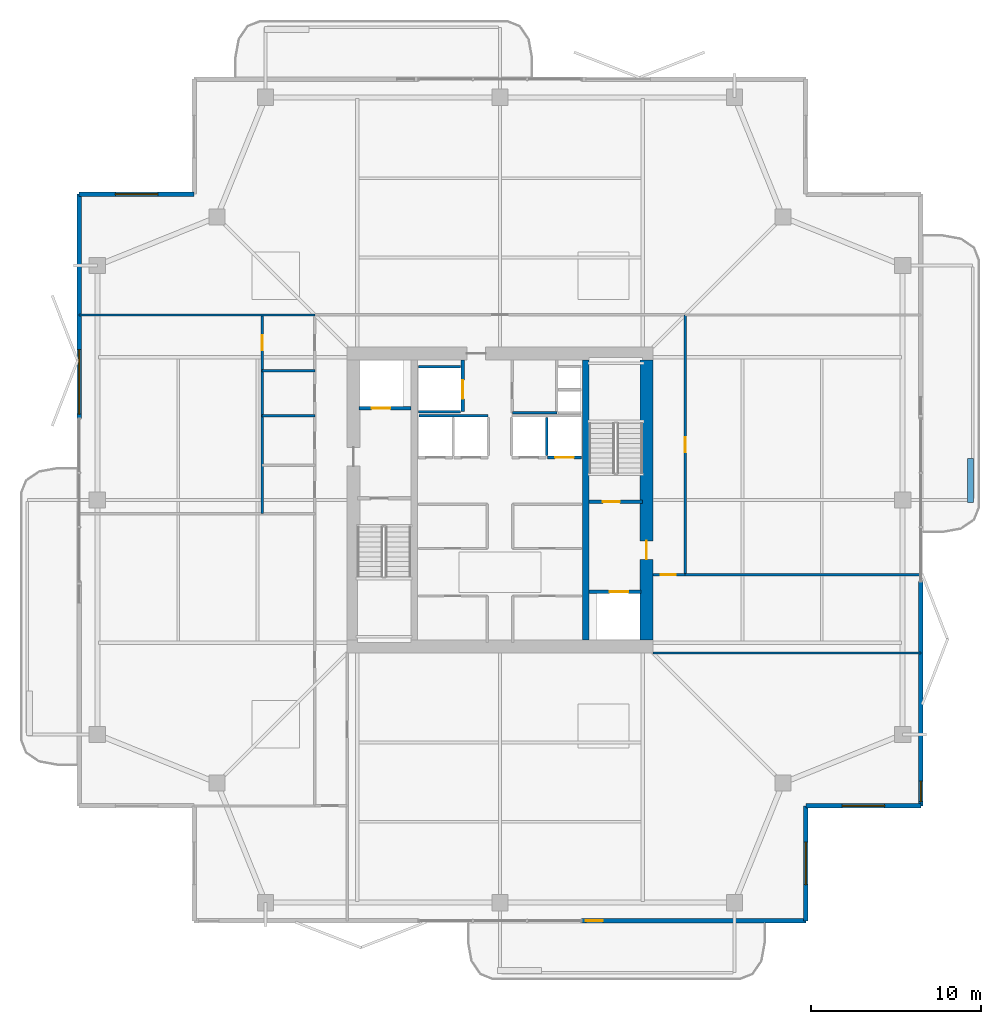
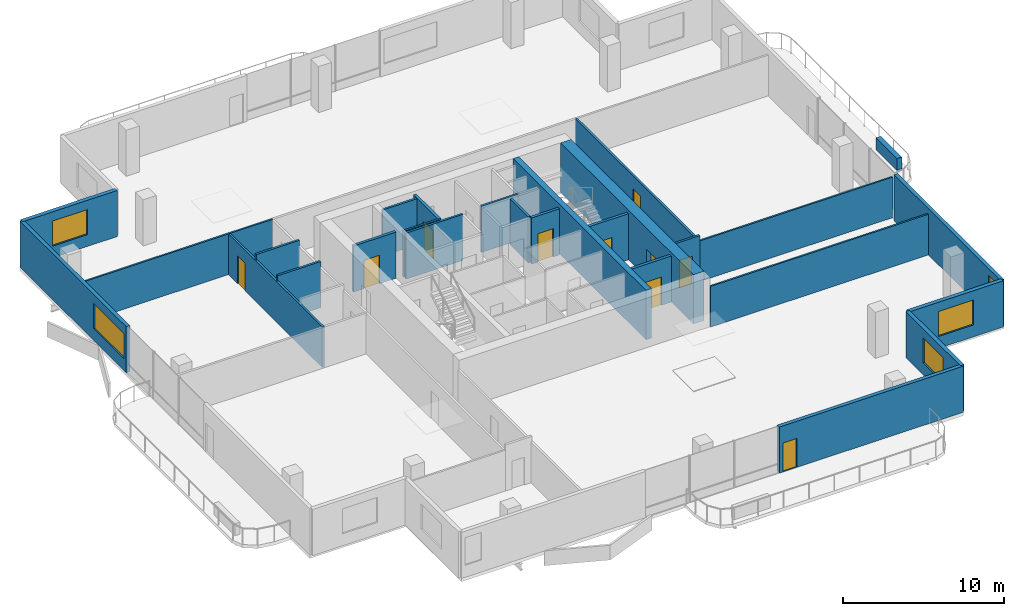
# One storey, part 19 of 24: 27 walls, 10 doors, 5 windows, 15 openings.
"""IFC4 building model written with IfcOpenShell, lengths in metres."""

from ifc_helpers import new_model, si_unit, direction, frame, frame_2d, origin, place, context, subcontext, project, spatial, rectangle, extrude, material, layer, layer_set, type_object, element, fill, save


model = new_model("IFC4")

# Units and contexts
model_context = context("Model", 3, precision=1e-05, world=origin(), true_north=direction((0.0, 1.0)))
body_context = subcontext(model_context, "Body", "Model", "MODEL_VIEW")
ifc_project = project(units=[si_unit("LENGTHUNIT", "METRE"), si_unit("AREAUNIT", "SQUARE_METRE"), si_unit("VOLUMEUNIT", "CUBIC_METRE"), si_unit("PLANEANGLEUNIT", "RADIAN"), si_unit("MASSUNIT", "GRAM", prefix="KILO")], contexts=[model_context])

# Site, building, storey
site_placement = place(None, origin())
site = spatial("IfcSite", under=ifc_project, at=site_placement, CompositionType="ELEMENT")
building_placement = place(site_placement, origin())
building = spatial("IfcBuilding", under=site, at=building_placement, Name="Belovzor Exchange Tower", CompositionType="ELEMENT")
storey_placement = place(building_placement, frame((0.0, 0.0, 261.60009765625)))
storey = spatial("IfcBuildingStorey", under=building, at=storey_placement, Name="L65", CompositionType="ELEMENT", Elevation=261.60009765625)

# Walls
ifc_material_1 = material(Name="Acoustic Plasterboard on Galvanised Studs", Category="gypsum")
ifc_layer_1 = layer(ifc_material_1, 0.1201171875)
ifc_layer_set_1 = layer_set([ifc_layer_1], Name="Acoustic Plasterboard on Galvanised Studs")
wall_type_1 = type_object("IfcWallType", Name="Acoustic Double-Stud Partition Wall 120", PredefinedType="PARTITIONING", material=ifc_layer_set_1)
wall_1_placement = place(storey_placement, frame((37.800048828125, 19.800048828125, 0.0), z_axis=(0.0, 0.0, 1.0), x_axis=(1.0, 0.0, 0.0)))
element("IfcWall", 1, at=wall_1_placement, inside=storey, type_object=wall_type_1, Name="W-P120 Partition Wall W-L65-ESS", PredefinedType="PARTITIONING", context=body_context, shape_type="SweptSolid", body=[
    extrude(rectangle(XDim=15.77001953125, YDim=0.1201171875, at=frame_2d((7.885009765625, 0.0))), origin(), (0.0, 0.0, 1.0), 3.0849609375),
])
wall_2_placement = place(storey_placement, frame((39.699951171875, 24.39990234375, 0.0), z_axis=(0.0, 0.0, 1.0), x_axis=(1.0, 0.0, 0.0)))
element("IfcWall", 2, at=wall_2_placement, inside=storey, type_object=wall_type_1, Name="W-P120 Partition Wall W-L65-ESN", PredefinedType="PARTITIONING", context=body_context, shape_type="SweptSolid", body=[
    extrude(rectangle(XDim=13.8701171875, YDim=0.1201171875, at=frame_2d((6.93505859375, 0.0))), origin(), (0.0, 0.0, 1.0), 3.0849609375),
])
wall_3_placement = place(storey_placement, frame((4.030029296875, 39.699951171875, 0.0), z_axis=(0.0, 0.0, 1.0), x_axis=(1.0, 0.0, 0.0)))
element("IfcWall", 3, at=wall_3_placement, inside=storey, type_object=wall_type_1, Name="W-P120 Partition Wall W-L65-END-NW", PredefinedType="PARTITIONING", context=body_context, shape_type="SweptSolid", body=[
    extrude(rectangle(XDim=13.869873046875, YDim=0.1201171875, at=frame_2d((6.93505859375, 0.0))), origin(), (0.0, 0.0, 1.0), 3.0849609375),
])
ifc_material_2 = material(Name="Fire-Rated Gypsum Block and Mineral Wool", Category="gypsum")
ifc_layer_2 = layer(ifc_material_2, 0.14990234375)
ifc_layer_set_2 = layer_set([ifc_layer_2], Name="Fire-Rated Gypsum Block and Mineral Wool")
wall_type_2 = type_object("IfcWallType", Name="Fire-Rated Gypsum Block Corridor Wall 150", PredefinedType="PARTITIONING", material=ifc_layer_set_2)
wall_4_placement = place(storey_placement, frame((29.52490234375, 33.925048828125, 0.0), z_axis=(0.0, 0.0, 1.0), x_axis=(1.0, 0.0, 0.0)))
element("IfcWall", 4, at=wall_4_placement, inside=storey, type_object=wall_type_2, Name="W-P150 Partition Wall W-CRV-L65-S", PredefinedType="PARTITIONING", context=body_context, shape_type="SweptSolid", body=[
    extrude(rectangle(XDim=2.625, YDim=0.14990234375, at=frame_2d((1.3125, 0.0))), origin(), (0.0, 0.0, 1.0), 3.5),
])

# Wall, opening, door
wall_5_placement = place(storey_placement, frame((14.800048828125, 28.0, 0.0), z_axis=(0.0, 0.0, 1.0), x_axis=(0.0, 1.0, 0.0)))
wall_5 = element("IfcWall", 5, at=wall_5_placement, inside=storey, type_object=wall_type_2, Name="W-P150 Partition Wall W-L65-WCW", PredefinedType="PARTITIONING", context=body_context, shape_type="SweptSolid", body=[
    extrude(rectangle(XDim=11.699951171875, YDim=0.14990234375, at=frame_2d((5.85009765625, 0.0))), origin(), (0.0, 0.0, 1.0), 3.0849609375),
])
opening_1_placement = place(wall_5_placement, frame((9.60009765625, 0.0, 0.0)))
opening_1 = element("IfcOpeningElement", 6, at=opening_1_placement, cuts=wall_5, Name="Opening D-INT-090", PredefinedType="OPENING", context=body_context, shape_type="SweptSolid", body=[
    extrude(rectangle(XDim=0.89990234375, YDim=2.10009765625, at=frame_2d((0.449951171875, 1.050048828125))), frame((0.0, 0.0849609375, 0.0), z_axis=(0.0, -1.0, 0.0), x_axis=(1.0, 0.0, 0.0)), (0.0, 0.0, 1.0), 0.169921875),
])
ifc_material_3 = material(Name="Veneered Hardwood Acoustic Leaf", Category="wood")
door_type_1 = type_object("IfcDoorType", Name="Trading Suite Acoustic Single Door 900x2100", OperationType="NOTDEFINED", PredefinedType="DOOR", material=ifc_material_3)
door_1_placement = place(opening_1_placement, origin())
door_1 = element("IfcDoor", 7, at=door_1_placement, inside=storey, type_object=door_type_1, Name="D-INT-090 Trading Suite Acoustic Single Door 900x2100", OperationType="SINGLE_SWING_LEFT", OverallHeight=2.10009765625, OverallWidth=0.89990234375, PredefinedType="DOOR", context=body_context, shape_type="SweptSolid", body=[
    extrude(rectangle(XDim=0.89990234375, YDim=2.10009765625, at=frame_2d((0.449951171875, 1.050048828125))), frame((0.0, 0.02490234375, 0.0), z_axis=(0.0, -1.0, 0.0), x_axis=(1.0, 0.0, 0.0)), (0.0, 0.0, 1.0), 0.050048828125),
])
fill(opening_1, door_1)

# Walls
for number, where, z_axis, x_axis, name in (
    (8, (14.800048828125, 36.39990234375, 0.0), (0.0, 0.0, 1.0), (1.0, 0.0, 0.0), "W-P150 Partition Wall W-L65-WCN"),
    (9, (14.800048828125, 33.75, 0.0), (0.0, 0.0, 1.0), (1.0, 0.0, 0.0), "W-P150 Partition Wall W-L65-WCD2"),
):
    element("IfcWall", number, at=place(storey_placement, frame(where, z_axis=z_axis, x_axis=x_axis)), inside=storey, type_object=wall_type_2, Name=name, PredefinedType="PARTITIONING", context=body_context, shape_type="SweptSolid", body=[
        extrude(rectangle(XDim=3.099853515625, YDim=0.14990234375, at=frame_2d((1.5498046875, 0.0))), origin(), (0.0, 0.0, 1.0), 3.5),
    ])

# Wall, opening, door
wall_6_placement = place(storey_placement, frame((37.800048828125, 24.39990234375, 0.0), z_axis=(0.0, 0.0, 1.0), x_axis=(1.0, 0.0, 0.0)))
wall_6 = element("IfcWall", 10, at=wall_6_placement, inside=storey, type_object=wall_type_2, Name="W-P150 Partition Wall W-L65-CE-END", PredefinedType="PARTITIONING", context=body_context, shape_type="SweptSolid", body=[
    extrude(rectangle(XDim=1.89990234375, YDim=0.14990234375, at=frame_2d((0.949951171875, 0.0))), origin(), (0.0, 0.0, 1.0), 3.5),
])
opening_2_placement = place(wall_6_placement, frame((0.449951171875, 0.0, 0.0)))
opening_2 = element("IfcOpeningElement", 11, at=opening_2_placement, cuts=wall_6, Name="Opening D-FD60-090", PredefinedType="OPENING", context=body_context, shape_type="SweptSolid", body=[
    extrude(rectangle(XDim=0.89990234375, YDim=2.10009765625, at=frame_2d((0.449951171875, 1.050048828125))), frame((0.0, 0.0849609375, 0.0), z_axis=(0.0, -1.0, 0.0), x_axis=(1.0, 0.0, 0.0)), (0.0, 0.0, 1.0), 0.169921875),
])
ifc_material_4 = material(Name="Acoustic Timber Fire Leaf", Category="wood")
door_type_2 = type_object("IfcDoorType", Name="Core Service & Restroom Fire Door 900x2100", OperationType="NOTDEFINED", PredefinedType="DOOR", material=ifc_material_4)
door_2_placement = place(opening_2_placement, origin())
door_2 = element("IfcDoor", 12, at=door_2_placement, inside=storey, type_object=door_type_2, Name="D-FD60-090 Core Service & Restroom Fire Door 900x2100", OperationType="SINGLE_SWING_LEFT", OverallHeight=2.10009765625, OverallWidth=0.89990234375, PredefinedType="DOOR", context=body_context, shape_type="SweptSolid", body=[
    extrude(rectangle(XDim=0.89990234375, YDim=2.10009765625, at=frame_2d((0.449951171875, 1.050048828125))), frame((0.0, 0.02490234375, 0.0), z_axis=(0.0, -1.0, 0.0), x_axis=(1.0, 0.0, 0.0)), (0.0, 0.0, 1.0), 0.050048828125),
])
fill(opening_2, door_2)

wall_7_placement = place(storey_placement, frame((39.699951171875, 24.39990234375, 0.0), z_axis=(0.0, 0.0, 1.0), x_axis=(0.0, 1.0, 0.0)))
wall_7 = element("IfcWall", 13, at=wall_7_placement, inside=storey, type_object=wall_type_2, Name="W-P150 Partition Wall W-L65-CE", PredefinedType="PARTITIONING", context=body_context, shape_type="SweptSolid", body=[
    extrude(rectangle(XDim=15.300048828125, YDim=0.14990234375, at=frame_2d((7.64990234375, 0.0))), origin(), (0.0, 0.0, 1.0), 3.0849609375),
])
opening_3_placement = place(wall_7_placement, frame((7.199951171875, 0.0, 0.0)))
opening_3 = element("IfcOpeningElement", 14, at=opening_3_placement, cuts=wall_7, Name="Opening D-INT-090", PredefinedType="OPENING", context=body_context, shape_type="SweptSolid", body=[
    extrude(rectangle(XDim=0.89990234375, YDim=2.10009765625, at=frame_2d((0.449951171875, 1.050048828125))), frame((0.0, 0.0849609375, 0.0), z_axis=(0.0, -1.0, 0.0), x_axis=(1.0, 0.0, 0.0)), (0.0, 0.0, 1.0), 0.169921875),
])
door_3_placement = place(opening_3_placement, origin())
door_3 = element("IfcDoor", 15, at=door_3_placement, inside=storey, type_object=door_type_1, Name="D-INT-090 Trading Suite Acoustic Single Door 900x2100", OperationType="SINGLE_SWING_LEFT", OverallHeight=2.10009765625, OverallWidth=0.89990234375, PredefinedType="DOOR", context=body_context, shape_type="SweptSolid", body=[
    extrude(rectangle(XDim=0.89990234375, YDim=2.10009765625, at=frame_2d((0.449951171875, 1.050048828125))), frame((0.0, 0.02490234375, 0.0), z_axis=(0.0, -1.0, 0.0), x_axis=(1.0, 0.0, 0.0)), (0.0, 0.0, 1.0), 0.050048828125),
])
fill(opening_3, door_3)

# Wall, opening, window
ifc_material_5 = material(Name="Precast concrete C40/50", Category="concrete")
ifc_layer_3 = layer(ifc_material_5, 0.280029296875)
ifc_layer_set_3 = layer_set([ifc_layer_3], Name="Precast concrete C40/50")
wall_type_3 = type_object("IfcWallType", Name="Precast Concrete Notched Corner Frame Wall 280", PredefinedType="SOLIDWALL", material=ifc_layer_set_3)
wall_8_placement = place(storey_placement, frame((4.030029296875, 46.800048828125, 0.0), z_axis=(0.0, 0.0, 1.0), x_axis=(1.0, 0.0, 0.0)))
wall_8 = element("IfcWall", 16, at=wall_8_placement, inside=storey, type_object=wall_type_3, Name="W-CRN280 Precast Concrete Notched Corner Frame Wall 280 L65", PredefinedType="SOLIDWALL", context=body_context, shape_type="SweptSolid", body=[
    extrude(rectangle(XDim=6.77001953125, YDim=0.280029296875, at=frame_2d((3.385009765625, 0.0))), origin(), (0.0, 0.0, 1.0), 3.5),
])
opening_4_placement = place(wall_8_placement, frame((2.135009765625, 0.0, 0.89990234375)))
opening_4 = element("IfcOpeningElement", 17, at=opening_4_placement, cuts=wall_8, Name="Opening WN-CRN250", PredefinedType="OPENING", context=body_context, shape_type="SweptSolid", body=[
    extrude(rectangle(XDim=2.5, YDim=1.89990234375, at=frame_2d((1.25, 0.949951171875))), frame((0.0, 0.14990234375, 0.0), z_axis=(0.0, -1.0, 0.0), x_axis=(1.0, 0.0, 0.0)), (0.0, 0.0, 1.0), 0.300048828125),
])
ifc_material_6 = material(Name="Thermally Broken Aluminium and Triple Glazing", Category="aluminium")
window_type_1 = type_object("IfcWindowType", Name="Streamline Moderne Corner Wrap Ribbon Window 2500x1900", PartitioningType="SINGLE_PANEL", PredefinedType="WINDOW", material=ifc_material_6)
window_1_placement = place(opening_4_placement, origin())
window_1 = element("IfcWindow", 18, at=window_1_placement, inside=storey, type_object=window_type_1, Name="WN-CRN250 Streamline Moderne Corner Wrap Ribbon Window 2500x1900", OverallHeight=1.89990234375, OverallWidth=2.5, PartitioningType="SINGLE_PANEL", PredefinedType="WINDOW", context=body_context, shape_type="SweptSolid", body=[
    extrude(rectangle(XDim=2.5, YDim=1.89990234375, at=frame_2d((1.25, 0.949951171875))), frame((0.0, 0.030029296875, 0.0), z_axis=(0.0, -1.0, 0.0), x_axis=(1.0, 0.0, 0.0)), (0.0, 0.0, 1.0), 0.06005859375),
])
fill(opening_4, window_1)

wall_9_placement = place(storey_placement, frame((53.570068359375, 10.800048828125, 0.0), z_axis=(0.0, 0.0, 1.0), x_axis=(-1.0, 0.0, 0.0)))
wall_9 = element("IfcWall", 19, at=wall_9_placement, inside=storey, type_object=wall_type_3, Name="W-CRN280 Precast Concrete Notched Corner Frame Wall 280 L65", PredefinedType="SOLIDWALL", context=body_context, shape_type="SweptSolid", body=[
    extrude(rectangle(XDim=6.77001953125, YDim=0.280029296875, at=frame_2d((3.385009765625, 0.0))), origin(), (0.0, 0.0, 1.0), 3.5),
])
opening_5_placement = place(wall_9_placement, frame((2.135009765625, 0.0, 0.89990234375)))
opening_5 = element("IfcOpeningElement", 20, at=opening_5_placement, cuts=wall_9, Name="Opening WN-CRN250", PredefinedType="OPENING", context=body_context, shape_type="SweptSolid", body=[
    extrude(rectangle(XDim=2.5, YDim=1.89990234375, at=frame_2d((1.25, 0.949951171875))), frame((0.0, 0.14990234375, 0.0), z_axis=(0.0, -1.0, 0.0), x_axis=(1.0, 0.0, 0.0)), (0.0, 0.0, 1.0), 0.300048828125),
])
window_2_placement = place(opening_5_placement, origin())
window_2 = element("IfcWindow", 21, at=window_2_placement, inside=storey, type_object=window_type_1, Name="WN-CRN250 Streamline Moderne Corner Wrap Ribbon Window 2500x1900", OverallHeight=1.89990234375, OverallWidth=2.5, PartitioningType="SINGLE_PANEL", PredefinedType="WINDOW", context=body_context, shape_type="SweptSolid", body=[
    extrude(rectangle(XDim=2.5, YDim=1.89990234375, at=frame_2d((1.25, 0.949951171875))), frame((0.0, 0.030029296875, 0.0), z_axis=(0.0, -1.0, 0.0), x_axis=(1.0, 0.0, 0.0)), (0.0, 0.0, 1.0), 0.06005859375),
])
fill(opening_5, window_2)

wall_10_placement = place(storey_placement, frame((46.800048828125, 10.800048828125, 0.0), z_axis=(0.0, 0.0, 1.0), x_axis=(0.0, -1.0, 0.0)))
wall_10 = element("IfcWall", 22, at=wall_10_placement, inside=storey, type_object=wall_type_3, Name="W-CRN280 Precast Concrete Notched Corner Frame Wall 280 L65", PredefinedType="SOLIDWALL", context=body_context, shape_type="SweptSolid", body=[
    extrude(rectangle(XDim=6.77001953125, YDim=0.280029296875, at=frame_2d((3.385009765625, 0.0))), origin(), (0.0, 0.0, 1.0), 3.5),
])
opening_6_placement = place(wall_10_placement, frame((2.135009765625, 0.0, 0.89990234375)))
opening_6 = element("IfcOpeningElement", 23, at=opening_6_placement, cuts=wall_10, Name="Opening WN-CRN250", PredefinedType="OPENING", context=body_context, shape_type="SweptSolid", body=[
    extrude(rectangle(XDim=2.5, YDim=1.89990234375, at=frame_2d((1.25, 0.949951171875))), frame((0.0, 0.14990234375, 0.0), z_axis=(0.0, -1.0, 0.0), x_axis=(1.0, 0.0, 0.0)), (0.0, 0.0, 1.0), 0.300048828125),
])
window_3_placement = place(opening_6_placement, origin())
window_3 = element("IfcWindow", 24, at=window_3_placement, inside=storey, type_object=window_type_1, Name="WN-CRN250 Streamline Moderne Corner Wrap Ribbon Window 2500x1900", OverallHeight=1.89990234375, OverallWidth=2.5, PartitioningType="SINGLE_PANEL", PredefinedType="WINDOW", context=body_context, shape_type="SweptSolid", body=[
    extrude(rectangle(XDim=2.5, YDim=1.89990234375, at=frame_2d((1.25, 0.949951171875))), frame((0.0, 0.030029296875, 0.0), z_axis=(0.0, -1.0, 0.0), x_axis=(1.0, 0.0, 0.0)), (0.0, 0.0, 1.0), 0.06005859375),
])
fill(opening_6, window_3)

# Wall, opening, door
ifc_material_7 = material(Name="Precast concrete C40/50", Category="concrete")
ifc_layer_4 = layer(ifc_material_7, 0.260009765625)
ifc_layer_set_4 = layer_set([ifc_layer_4], Name="Precast concrete C40/50")
wall_type_4 = type_object("IfcWallType", Name="Precast Concrete Perimeter Loggia Frame Wall 260", PredefinedType="SOLIDWALL", material=ifc_layer_set_4)
wall_11_placement = place(storey_placement, frame((46.800048828125, 4.030029296875, 0.0), z_axis=(0.0, 0.0, 1.0), x_axis=(-1.0, 0.0, 0.0)))
wall_11 = element("IfcWall", 25, at=wall_11_placement, inside=storey, type_object=wall_type_4, Name="W-EXT260 Precast Concrete Perimeter Loggia Frame Wall 260 L65", PredefinedType="SOLIDWALL", context=body_context, shape_type="SweptSolid", body=[
    extrude(rectangle(XDim=13.199951171875, YDim=0.260009765625, at=frame_2d((6.60009765625, 0.0))), origin(), (0.0, 0.0, 1.0), 3.5),
])
opening_7_placement = place(wall_11_placement, frame((11.949951171875, 0.0, 0.0)))
opening_7 = element("IfcOpeningElement", 26, at=opening_7_placement, cuts=wall_11, Name="Opening D-BAL100", PredefinedType="OPENING", context=body_context, shape_type="SweptSolid", body=[
    extrude(rectangle(XDim=1.0, YDim=2.199951171875, at=frame_2d((0.5, 1.10009765625))), frame((0.0, 0.139892578125, 0.0), z_axis=(0.0, -1.0, 0.0), x_axis=(1.0, 0.0, 0.0)), (0.0, 0.0, 1.0), 0.280029296875),
])
ifc_material_8 = material(Name="Thermally Broken Anodised Aluminium and Laminated Glass", Category="aluminium")
door_type_3 = type_object("IfcDoorType", Name="Planted Loggia Terrace Glazed Door 1000x2200", OperationType="SINGLE_SWING_LEFT", PredefinedType="DOOR", material=ifc_material_8)
door_4_placement = place(opening_7_placement, origin())
door_4 = element("IfcDoor", 27, at=door_4_placement, inside=storey, type_object=door_type_3, Name="D-BAL100 Balcony Terrace Door L65 S", OperationType="SINGLE_SWING_LEFT", OverallHeight=2.199951171875, OverallWidth=1.0, PredefinedType="DOOR", context=body_context, shape_type="SweptSolid", body=[
    extrude(rectangle(XDim=1.0, YDim=2.199951171875, at=frame_2d((0.5, 1.10009765625))), frame((0.0, 0.02490234375, 0.0), z_axis=(0.0, -1.0, 0.0), x_axis=(1.0, 0.0, 0.0)), (0.0, 0.0, 1.0), 0.050048828125),
])
fill(opening_7, door_4)

# Wall, opening, window
wall_12_placement = place(storey_placement, frame((4.030029296875, 33.60009765625, 0.0), z_axis=(0.0, 0.0, 1.0), x_axis=(0.0, 1.0, 0.0)))
wall_12 = element("IfcWall", 28, at=wall_12_placement, inside=storey, type_object=wall_type_4, Name="W-EXT260 Precast Concrete Perimeter Loggia Frame Wall 260 L65", PredefinedType="SOLIDWALL", context=body_context, shape_type="SweptSolid", body=[
    extrude(rectangle(XDim=13.199951171875, YDim=0.260009765625, at=frame_2d((6.60009765625, 0.0))), origin(), (0.0, 0.0, 1.0), 3.5),
])
opening_8_placement = place(wall_12_placement, frame((0.25, 0.0, 0.89990234375)))
opening_8 = element("IfcOpeningElement", 29, at=opening_8_placement, cuts=wall_12, Name="Opening WN-RIB380", PredefinedType="OPENING", context=body_context, shape_type="SweptSolid", body=[
    extrude(rectangle(XDim=3.800048828125, YDim=1.89990234375, at=frame_2d((1.89990234375, 0.949951171875))), frame((0.0, 0.139892578125, 0.0), z_axis=(0.0, -1.0, 0.0), x_axis=(1.0, 0.0, 0.0)), (0.0, 0.0, 1.0), 0.280029296875),
])
ifc_material_9 = material(Name="Thermally Broken Aluminium and Triple Glazing", Category="aluminium")
window_type_2 = type_object("IfcWindowType", Name="Streamline Moderne Horizontal Ribbon Window 3800x1900", PartitioningType="SINGLE_PANEL", PredefinedType="WINDOW", material=ifc_material_9)
window_4_placement = place(opening_8_placement, origin())
window_4 = element("IfcWindow", 30, at=window_4_placement, inside=storey, type_object=window_type_2, Name="WN-RIB380 Streamline Moderne Horizontal Ribbon Window 3800x1900", OverallHeight=1.89990234375, OverallWidth=3.800048828125, PartitioningType="SINGLE_PANEL", PredefinedType="WINDOW", context=body_context, shape_type="SweptSolid", body=[
    extrude(rectangle(XDim=3.800048828125, YDim=1.89990234375, at=frame_2d((1.89990234375, 0.949951171875))), frame((0.0, 0.030029296875, 0.0), z_axis=(0.0, -1.0, 0.0), x_axis=(1.0, 0.0, 0.0)), (0.0, 0.0, 1.0), 0.06005859375),
])
fill(opening_8, window_4)

wall_13_placement = place(storey_placement, frame((53.570068359375, 24.0, 0.0), z_axis=(0.0, 0.0, 1.0), x_axis=(0.0, -1.0, 0.0)))
wall_13 = element("IfcWall", 31, at=wall_13_placement, inside=storey, type_object=wall_type_4, Name="W-EXT260 Precast Concrete Perimeter Loggia Frame Wall 260 L65", PredefinedType="SOLIDWALL", context=body_context, shape_type="SweptSolid", body=[
    extrude(rectangle(XDim=13.199951171875, YDim=0.260009765625, at=frame_2d((6.60009765625, 0.0))), origin(), (0.0, 0.0, 1.0), 3.5),
])
opening_9_placement = place(wall_13_placement, frame((11.75, 0.0, 0.89990234375)))
opening_9 = element("IfcOpeningElement", 32, at=opening_9_placement, cuts=wall_13, Name="Opening WN-CRN120", PredefinedType="OPENING", context=body_context, shape_type="SweptSolid", body=[
    extrude(rectangle(XDim=1.199951171875, YDim=2.10009765625, at=frame_2d((0.60009765625, 1.050048828125))), frame((0.0, 0.139892578125, 0.0), z_axis=(0.0, -1.0, 0.0), x_axis=(1.0, 0.0, 0.0)), (0.0, 0.0, 1.0), 0.280029296875),
])
ifc_material_10 = material(Name="Thermally Broken Aluminium and Triple Glazing", Category="aluminium")
window_type_3 = type_object("IfcWindowType", Name="Streamline Notched Corner Window 1200x2100", PartitioningType="SINGLE_PANEL", PredefinedType="WINDOW", material=ifc_material_10)
window_5_placement = place(opening_9_placement, origin())
window_5 = element("IfcWindow", 33, at=window_5_placement, inside=storey, type_object=window_type_3, Name="WN-CRN120 Streamline Notched Corner Window 1200x2100", OverallHeight=2.10009765625, OverallWidth=1.199951171875, PartitioningType="SINGLE_PANEL", PredefinedType="WINDOW", context=body_context, shape_type="SweptSolid", body=[
    extrude(rectangle(XDim=1.199951171875, YDim=2.10009765625, at=frame_2d((0.60009765625, 1.050048828125))), frame((0.0, 0.030029296875, 0.0), z_axis=(0.0, -1.0, 0.0), x_axis=(1.0, 0.0, 0.0)), (0.0, 0.0, 1.0), 0.06005859375),
])
fill(opening_9, window_5)

# Walls
ifc_material_11 = material(Name="Precast concrete C40/50", Category="concrete")
ifc_layer_5 = layer(ifc_material_11, 0.35009765625)
ifc_layer_set_5 = layer_set([ifc_layer_5], Name="Precast concrete C40/50")
wall_type_5 = type_object("IfcWallType", Name="Precast Concrete Structural Tree Planter Trough 350", PredefinedType="PARAPET", material=ifc_layer_set_5)
wall_14_placement = place(storey_placement, frame((56.5, 28.64990234375, 0.0), z_axis=(0.0, 0.0, 1.0), x_axis=(0.0, 1.0, 0.0)))
element("IfcWall", 34, at=wall_14_placement, inside=storey, type_object=wall_type_5, Name="PT-350 Precast Concrete Structural Tree Planter Trough 350 L65", PredefinedType="PARAPET", context=body_context, shape_type="SweptSolid", body=[
    extrude(rectangle(XDim=2.60009765625, YDim=0.35009765625, at=frame_2d((1.300048828125, 0.0))), origin(), (0.0, 0.0, 1.0), 0.89990234375),
])
ifc_material_12 = material(Name="Concrete C50/60", Category="concrete")
ifc_layer_6 = layer(ifc_material_12, 0.39990234375)
ifc_layer_set_6 = layer_set([ifc_layer_6], Name="Concrete C50/60")
wall_type_6 = type_object("IfcWallType", Name="Reinforced Concrete Core Internal Web Wall 400", PredefinedType="SHEAR", material=ifc_layer_set_6)
wall_15_placement = place(storey_placement, frame((33.85009765625, 20.550048828125, 0.0), z_axis=(0.0, 0.0, 1.0), x_axis=(0.0, 1.0, 0.0)))
element("IfcWall", 35, at=wall_15_placement, inside=storey, type_object=wall_type_6, Name="CW-W040 Core Internal Web Wall L65 ER", PredefinedType="SHEAR", context=body_context, shape_type="SweptSolid", body=[
    extrude(rectangle(XDim=16.5, YDim=0.39990234375, at=frame_2d((8.25, 0.0))), origin(), (0.0, 0.0, 1.0), 3.75),
])
ifc_material_13 = material(Name="Concrete C50/60", Category="concrete")
ifc_layer_7 = layer(ifc_material_13, 0.14990234375)
ifc_layer_set_7 = layer_set([ifc_layer_7], Name="Concrete C50/60")
wall_type_7 = type_object("IfcWallType", Name="Reinforced Concrete Core Riser Shear Wall 150", PredefinedType="SHEAR", material=ifc_layer_set_7)
for number, where, z_axis, x_axis, name in (
    (36, (24.0, 34.0, 0.0), (0.0, 0.0, 1.0), (1.0, 0.0, 0.0), "W-C150S Core Shaft Wall W-SH-L65-SL-01S"),
    (37, (24.0, 36.64990234375, 0.0), (0.0, 0.0, 1.0), (1.0, 0.0, 0.0), "W-C150S Core Shaft Wall W-SH-L65-SL-01N"),
):
    element("IfcWall", number, at=place(storey_placement, frame(where, z_axis=z_axis, x_axis=x_axis)), inside=storey, type_object=wall_type_7, Name=name, PredefinedType="SHEAR", context=body_context, shape_type="SweptSolid", body=[
        extrude(rectangle(XDim=2.47998046875, YDim=0.14990234375, at=frame_2d((1.239990234375, 0.0))), origin(), (0.0, 0.0, 1.0), 3.5),
    ])
wall_16_placement = place(storey_placement, frame((24.02001953125, 33.760009765625, 0.0), z_axis=(0.0, 0.0, 1.0), x_axis=(1.0, 0.0, 0.0)))
element("IfcWall", 38, at=wall_16_placement, inside=storey, type_object=wall_type_7, Name="W-C150S Core Shaft Wall W-SHB-L65-PLH-NW", PredefinedType="SHEAR", context=body_context, shape_type="SweptSolid", body=[
    extrude(rectangle(XDim=4.080078125, YDim=0.14990234375, at=frame_2d((2.0400390625, 0.0))), origin(), (0.0, 0.0, 1.0), 3.5),
])
wall_17_placement = place(storey_placement, frame((31.550048828125, 31.419921875, 0.0), z_axis=(0.0, 0.0, 1.0), x_axis=(0.0, 1.0, 0.0)))
element("IfcWall", 39, at=wall_17_placement, inside=storey, type_object=wall_type_7, Name="W-C150S Core Shaft Wall W-SHD-L65-PLH-4", PredefinedType="SHEAR", context=body_context, shape_type="SweptSolid", body=[
    extrude(rectangle(XDim=2.239990234375, YDim=0.14990234375, at=frame_2d((1.1201171875, 0.0))), origin(), (0.0, 0.0, 1.0), 3.5),
])

# Wall, opening, door
ifc_material_14 = material(Name="Concrete C50/60", Category="concrete")
ifc_layer_8 = layer(ifc_material_14, 0.199951171875)
ifc_layer_set_8 = layer_set([ifc_layer_8], Name="Concrete C50/60")
wall_type_8 = type_object("IfcWallType", Name="Reinforced Concrete Core Shaft Shear Wall 200", PredefinedType="SHEAR", material=ifc_layer_set_8)
wall_18_placement = place(storey_placement, frame((34.050048828125, 28.699951171875, 0.0), z_axis=(0.0, 0.0, 1.0), x_axis=(1.0, 0.0, 0.0)))
wall_18 = element("IfcWall", 40, at=wall_18_placement, inside=storey, type_object=wall_type_8, Name="W-C200S Core Shaft Wall W-CORE-L65-FFLE2", PredefinedType="SHEAR", context=body_context, shape_type="SweptSolid", body=[
    extrude(rectangle(XDim=3.14990234375, YDim=0.199951171875, at=frame_2d((1.574951171875, 0.0))), origin(), (0.0, 0.0, 1.0), 3.5),
])
opening_10_placement = place(wall_18_placement, frame((0.800048828125, 0.0, 0.0)))
opening_10 = element("IfcOpeningElement", 41, at=opening_10_placement, cuts=wall_18, Name="Opening D-FD90-100", PredefinedType="OPENING", context=body_context, shape_type="SweptSolid", body=[
    extrude(rectangle(XDim=1.0, YDim=2.10009765625, at=frame_2d((0.5, 1.050048828125))), frame((0.0, 0.10986328125, 0.0), z_axis=(0.0, -1.0, 0.0), x_axis=(1.0, 0.0, 0.0)), (0.0, 0.0, 1.0), 0.219970703125),
])
ifc_material_15 = material(Name="Fire-Rated Galvanised Steel Leaf", Category="steel")
door_type_4 = type_object("IfcDoorType", Name="Protected Stairwell Single Fire Door 1000x2100", OperationType="NOTDEFINED", PredefinedType="DOOR", material=ifc_material_15)
door_5_placement = place(opening_10_placement, origin())
door_5 = element("IfcDoor", 42, at=door_5_placement, inside=storey, type_object=door_type_4, Name="D-FD90-100 Protected Stairwell Single Fire Door 1000x2100", OperationType="SINGLE_SWING_LEFT", OverallHeight=2.10009765625, OverallWidth=1.0, PredefinedType="DOOR", context=body_context, shape_type="SweptSolid", body=[
    extrude(rectangle(XDim=1.0, YDim=2.10009765625, at=frame_2d((0.5, 1.050048828125))), frame((0.0, 0.02490234375, 0.0), z_axis=(0.0, -1.0, 0.0), x_axis=(1.0, 0.0, 0.0)), (0.0, 0.0, 1.0), 0.050048828125),
])
fill(opening_10, door_5)

wall_19_placement = place(storey_placement, frame((20.5, 34.199951171875, 0.0), z_axis=(0.0, 0.0, 1.0), x_axis=(1.0, 0.0, 0.0)))
wall_19 = element("IfcWall", 43, at=wall_19_placement, inside=storey, type_object=wall_type_8, Name="W-C200S Core Shaft Wall W-SH-L65-FFL-01", PredefinedType="SHEAR", context=body_context, shape_type="SweptSolid", body=[
    extrude(rectangle(XDim=3.050048828125, YDim=0.199951171875, at=frame_2d((1.52490234375, 0.0))), origin(), (0.0, 0.0, 1.0), 3.5),
])
opening_11_placement = place(wall_19_placement, frame((0.75, 0.0, 0.0)))
opening_11 = element("IfcOpeningElement", 44, at=opening_11_placement, cuts=wall_19, Name="Opening LD-110", PredefinedType="OPENING", context=body_context, shape_type="SweptSolid", body=[
    extrude(rectangle(XDim=1.10009765625, YDim=2.14990234375, at=frame_2d((0.550048828125, 1.074951171875))), frame((0.0, 0.10986328125, 0.0), z_axis=(0.0, -1.0, 0.0), x_axis=(1.0, 0.0, 0.0)), (0.0, 0.0, 1.0), 0.219970703125),
])
ifc_material_16 = material(Name="Stainless Steel Grade 304", Category="steel")
door_type_5 = type_object("IfcDoorType", Name="Automated Stainless Steel Lift Landing Door 1100x2150", OperationType="SLIDING_TO_RIGHT", PredefinedType="DOOR", material=ifc_material_16)
door_6_placement = place(opening_11_placement, origin())
door_6 = element("IfcDoor", 45, at=door_6_placement, inside=storey, type_object=door_type_5, Name="LD-110 Automated Stainless Steel Lift Landing Door 1100x2150", OperationType="SLIDING_TO_RIGHT", OverallHeight=2.14990234375, OverallWidth=1.10009765625, PredefinedType="DOOR", context=body_context, shape_type="SweptSolid", body=[
    extrude(rectangle(XDim=1.10009765625, YDim=2.14990234375, at=frame_2d((0.550048828125, 1.074951171875))), frame((0.0, 0.02490234375, 0.0), z_axis=(0.0, -1.0, 0.0), x_axis=(1.0, 0.0, 0.0)), (0.0, 0.0, 1.0), 0.050048828125),
])
fill(opening_11, door_6)

wall_20_placement = place(storey_placement, frame((34.050048828125, 23.39990234375, 0.0), z_axis=(0.0, 0.0, 1.0), x_axis=(1.0, 0.0, 0.0)))
wall_20 = element("IfcWall", 46, at=wall_20_placement, inside=storey, type_object=wall_type_8, Name="W-C200S Core Shaft Wall W-SH-L65-FFL-02", PredefinedType="SHEAR", context=body_context, shape_type="SweptSolid", body=[
    extrude(rectangle(XDim=3.050048828125, YDim=0.199951171875, at=frame_2d((1.52490234375, 0.0))), origin(), (0.0, 0.0, 1.0), 3.5),
])
opening_12_placement = place(wall_20_placement, frame((1.199951171875, 0.0, 0.0)))
opening_12 = element("IfcOpeningElement", 47, at=opening_12_placement, cuts=wall_20, Name="Opening LD-110", PredefinedType="OPENING", context=body_context, shape_type="SweptSolid", body=[
    extrude(rectangle(XDim=1.10009765625, YDim=2.14990234375, at=frame_2d((0.550048828125, 1.074951171875))), frame((0.0, 0.10986328125, 0.0), z_axis=(0.0, -1.0, 0.0), x_axis=(1.0, 0.0, 0.0)), (0.0, 0.0, 1.0), 0.219970703125),
])
door_7_placement = place(opening_12_placement, origin())
door_7 = element("IfcDoor", 48, at=door_7_placement, inside=storey, type_object=door_type_5, Name="LD-110 Automated Stainless Steel Lift Landing Door 1100x2150", OperationType="SLIDING_TO_RIGHT", OverallHeight=2.14990234375, OverallWidth=1.10009765625, PredefinedType="DOOR", context=body_context, shape_type="SweptSolid", body=[
    extrude(rectangle(XDim=1.10009765625, YDim=2.14990234375, at=frame_2d((0.550048828125, 1.074951171875))), frame((0.0, 0.02490234375, 0.0), z_axis=(0.0, -1.0, 0.0), x_axis=(1.0, 0.0, 0.0)), (0.0, 0.0, 1.0), 0.050048828125),
])
fill(opening_12, door_7)

wall_21_placement = place(storey_placement, frame((26.60009765625, 34.0, 0.0), z_axis=(0.0, 0.0, 1.0), x_axis=(0.0, 1.0, 0.0)))
wall_21 = element("IfcWall", 49, at=wall_21_placement, inside=storey, type_object=wall_type_8, Name="W-C200S Core Shaft Wall W-SH-L65-SL-01", PredefinedType="SHEAR", context=body_context, shape_type="SweptSolid", body=[
    extrude(rectangle(XDim=3.050048828125, YDim=0.199951171875, at=frame_2d((1.52490234375, 0.0))), origin(), (0.0, 0.0, 1.0), 3.5),
])
opening_13_placement = place(wall_21_placement, frame((0.75, 0.0, 0.0)))
opening_13 = element("IfcOpeningElement", 50, at=opening_13_placement, cuts=wall_21, Name="Opening LD-110", PredefinedType="OPENING", context=body_context, shape_type="SweptSolid", body=[
    extrude(rectangle(XDim=1.10009765625, YDim=2.14990234375, at=frame_2d((0.550048828125, 1.074951171875))), frame((0.0, 0.10986328125, 0.0), z_axis=(0.0, -1.0, 0.0), x_axis=(1.0, 0.0, 0.0)), (0.0, 0.0, 1.0), 0.219970703125),
])
door_8_placement = place(opening_13_placement, origin())
door_8 = element("IfcDoor", 51, at=door_8_placement, inside=storey, type_object=door_type_5, Name="LD-110 Automated Stainless Steel Lift Landing Door 1100x2150", OperationType="SLIDING_TO_RIGHT", OverallHeight=2.14990234375, OverallWidth=1.10009765625, PredefinedType="DOOR", context=body_context, shape_type="SweptSolid", body=[
    extrude(rectangle(XDim=1.10009765625, YDim=2.14990234375, at=frame_2d((0.550048828125, 1.074951171875))), frame((0.0, 0.02490234375, 0.0), z_axis=(0.0, -1.0, 0.0), x_axis=(1.0, 0.0, 0.0)), (0.0, 0.0, 1.0), 0.050048828125),
])
fill(opening_13, door_8)

wall_22_placement = place(storey_placement, frame((31.60009765625, 31.300048828125, 0.0), z_axis=(0.0, 0.0, 1.0), x_axis=(1.0, 0.0, 0.0)))
wall_22 = element("IfcWall", 52, at=wall_22_placement, inside=storey, type_object=wall_type_8, Name="W-C200S Core Shaft Wall W-SH-L65-PL-H4", PredefinedType="SHEAR", context=body_context, shape_type="SweptSolid", body=[
    extrude(rectangle(XDim=2.0, YDim=0.199951171875, at=frame_2d((1.0, 0.0))), origin(), (0.0, 0.0, 1.0), 3.5),
])
opening_14_placement = place(wall_22_placement, frame((0.449951171875, 0.0, 0.0)))
opening_14 = element("IfcOpeningElement", 53, at=opening_14_placement, cuts=wall_22, Name="Opening LD-110", PredefinedType="OPENING", context=body_context, shape_type="SweptSolid", body=[
    extrude(rectangle(XDim=1.10009765625, YDim=2.14990234375, at=frame_2d((0.550048828125, 1.074951171875))), frame((0.0, 0.10986328125, 0.0), z_axis=(0.0, -1.0, 0.0), x_axis=(1.0, 0.0, 0.0)), (0.0, 0.0, 1.0), 0.219970703125),
])
door_9_placement = place(opening_14_placement, origin())
door_9 = element("IfcDoor", 54, at=door_9_placement, inside=storey, type_object=door_type_5, Name="LD-110 Automated Stainless Steel Lift Landing Door 1100x2150", OperationType="SLIDING_TO_RIGHT", OverallHeight=2.14990234375, OverallWidth=1.10009765625, PredefinedType="DOOR", context=body_context, shape_type="SweptSolid", body=[
    extrude(rectangle(XDim=1.10009765625, YDim=2.14990234375, at=frame_2d((0.550048828125, 1.074951171875))), frame((0.0, 0.02490234375, 0.0), z_axis=(0.0, -1.0, 0.0), x_axis=(1.0, 0.0, 0.0)), (0.0, 0.0, 1.0), 0.050048828125),
])
fill(opening_14, door_9)

ifc_material_17 = material(Name="Concrete C50/60", Category="concrete")
ifc_layer_9 = layer(ifc_material_17, 0.75)
ifc_layer_set_9 = layer_set([ifc_layer_9], Name="Concrete C50/60")
wall_type_9 = type_object("IfcWallType", Name="Reinforced Concrete Core Shear Wall 750", PredefinedType="SHEAR", material=ifc_layer_set_9)
wall_23_placement = place(storey_placement, frame((37.425048828125, 20.550048828125, 0.0), z_axis=(0.0, 0.0, 1.0), x_axis=(0.0, 1.0, 0.0)))
wall_23 = element("IfcWall", 55, at=wall_23_placement, inside=storey, type_object=wall_type_9, Name="CW-S075 Core Shear Wall L65 E", PredefinedType="SHEAR", context=body_context, shape_type="SweptSolid", body=[
    extrude(rectangle(XDim=16.5, YDim=0.75, at=frame_2d((8.25, 0.0))), origin(), (0.0, 0.0, 1.0), 3.75),
])
opening_15_placement = place(wall_23_placement, frame((4.75, 0.0, 0.0)))
opening_15 = element("IfcOpeningElement", 56, at=opening_15_placement, cuts=wall_23, Name="Opening D-FD90-110", PredefinedType="OPENING", context=body_context, shape_type="SweptSolid", body=[
    extrude(rectangle(XDim=1.10009765625, YDim=2.14990234375, at=frame_2d((0.550048828125, 1.074951171875))), frame((0.0, 0.385009765625, 0.0), z_axis=(0.0, -1.0, 0.0), x_axis=(1.0, 0.0, 0.0)), (0.0, 0.0, 1.0), 0.77001953125),
])
ifc_material_18 = material(Name="Fire-Rated Galvanised Steel Leaf", Category="steel")
door_type_6 = type_object("IfcDoorType", Name="Protected Escape Vestibule Fire Door 1100x2150", OperationType="NOTDEFINED", PredefinedType="DOOR", material=ifc_material_18)
door_10_placement = place(opening_15_placement, origin())
door_10 = element("IfcDoor", 57, at=door_10_placement, inside=storey, type_object=door_type_6, Name="D-FD90-110 Protected Escape Vestibule Fire Door 1100x2150", OperationType="SINGLE_SWING_RIGHT", OverallHeight=2.14990234375, OverallWidth=1.10009765625, PredefinedType="DOOR", context=body_context, shape_type="SweptSolid", body=[
    extrude(rectangle(XDim=1.10009765625, YDim=2.14990234375, at=frame_2d((0.550048828125, 1.074951171875))), frame((0.0, 0.02490234375, 0.0), z_axis=(0.0, -1.0, 0.0), x_axis=(1.0, 0.0, 0.0)), (0.0, 0.0, 1.0), 0.050048828125),
])
fill(opening_15, door_10)

save(model, "model.ifc")
